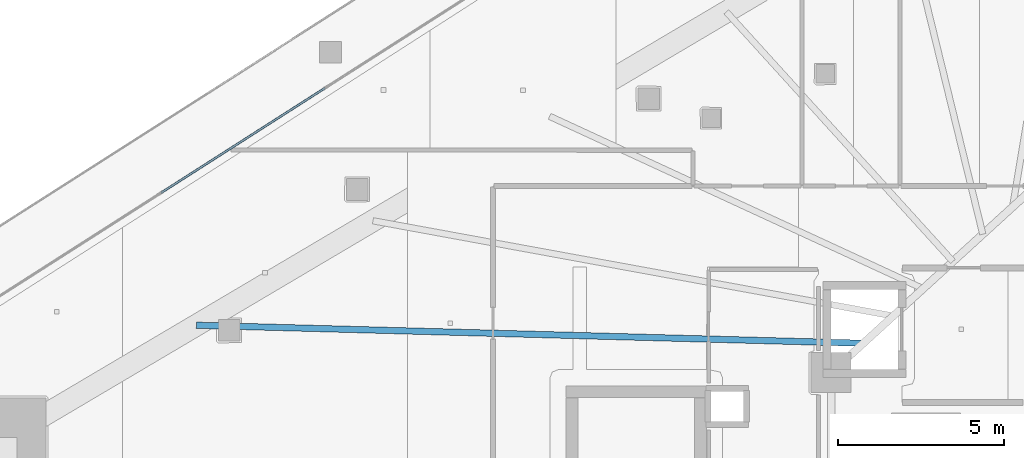
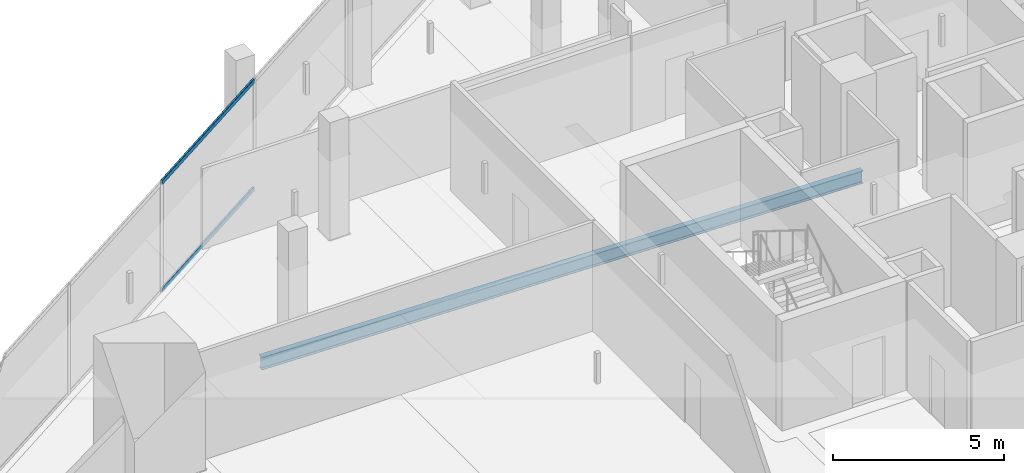
# One storey, part 13 of 44: 2 members, 1 beam, 1 element without a shape of its own.
"""IFC4 building model written with IfcOpenShell, lengths in metres."""

from ifc_helpers import new_model, si_unit, direction, frame, origin, origin_2d, place, context, subcontext, project, spatial, hollow_rectangle, i_section, extrude, material, layer, layer_set, material_profile, profile_set, type_object, element, aggregate, save


model = new_model("IFC4")

# Units and contexts
model_context = context("Model", 3, precision=1e-05, world=origin(), true_north=direction((0.0, 1.0)))
body_context = subcontext(model_context, "Body", "Model", "MODEL_VIEW")
ifc_project = project(units=[si_unit("LENGTHUNIT", "METRE"), si_unit("AREAUNIT", "SQUARE_METRE"), si_unit("VOLUMEUNIT", "CUBIC_METRE"), si_unit("PLANEANGLEUNIT", "RADIAN"), si_unit("MASSUNIT", "GRAM", prefix="KILO")], contexts=[model_context])

# Site, building, storey
site_placement = place(None, origin())
site = spatial("IfcSite", under=ifc_project, at=site_placement, CompositionType="ELEMENT")
building_placement = place(site_placement, origin())
building = spatial("IfcBuilding", under=site, at=building_placement, Name="Qorvath Tower", CompositionType="ELEMENT")
storey_placement = place(building_placement, frame((0.0, 0.0, 45.0)))
storey = spatial("IfcBuildingStorey", under=building, at=storey_placement, Name="L09", CompositionType="ELEMENT", Elevation=45.0)

# Beam
ifc_material_1 = material(Name="Steel ASTM A992 Grade 50", Category="steel")
ifc_material_profile_1 = material_profile(ifc_material_1, i_section(OverallWidth=0.18994140625, OverallDepth=0.45703125, WebThickness=0.009033203125, FlangeThickness=0.014404296875, FilletRadius=0.011962890625, at=origin_2d()), Name="W18x50")
ifc_profile_set_1 = profile_set([ifc_material_profile_1], Name="Steel ASTM A992 Grade 50")
beam_type = type_object("IfcBeamType", Name="BM-FJ2", PredefinedType="JOIST", material=ifc_profile_set_1)
beam_placement = place(storey_placement, frame((-29.533935546875, 6.031982421875, -0.508544921875), z_axis=(-0.999634925413, 0.02701880631, 0.0), x_axis=(-0.02701880631, -0.999634925413, 0.0)))
element("IfcBeam", 1, at=beam_placement, inside=storey, type_object=beam_type, Name="Composite Floor Joist NW1 L09", PredefinedType="JOIST", context=body_context, shape_type="SweptSolid", body=[
    extrude(i_section(OverallWidth=0.18994140625, OverallDepth=0.45703125, WebThickness=0.009033203125, FlangeThickness=0.014404296875, FilletRadius=0.011962890625, at=origin_2d()), origin(), (0.0, 0.0, 1.0), 20.041748046875),
])

# Curtain wall, members
ifc_material_2 = material(Name="Anodised aluminium and triple low-E glass", Category="aluminium")
ifc_layer = layer(ifc_material_2, 0.179931640625)
ifc_layer_set = layer_set([ifc_layer], Name="CW-SYS-2")
curtain_wall_type = type_object("IfcCurtainWallType", Name="CW-SYS-2", PredefinedType="NOTDEFINED", material=ifc_layer_set)
curtain_wall_placement = place(storey_placement, origin())
curtain_wall = element("IfcCurtainWall", 2, at=curtain_wall_placement, inside=storey, type_object=curtain_wall_type, Name="Curtain Wall CW-2 CW-T-L09-16.3", PredefinedType="NOTDEFINED")
ifc_material_3 = material(Name="Anodised aluminium 6063-T6", Category="aluminium")
ifc_material_profile_2 = material_profile(ifc_material_3, hollow_rectangle(XDim=0.06494140625, YDim=0.159912109375, WallThickness=0.00341796875, InnerFilletRadius=0.00341796875, OuterFilletRadius=0.007080078125, at=origin_2d()), Name="CWT 160x65")
ifc_profile_set_2 = profile_set([ifc_material_profile_2], Name="Anodised aluminium 6063-T6")
member_type = type_object("IfcMemberType", Name="CWT-160", PredefinedType="USERDEFINED", material=ifc_profile_set_2)
member_1_placement = place(storey_placement, frame((-45.704345703125, 13.69677734375, 0.032470703125), z_axis=(-0.842618260885, -0.538511342891, 0.0), x_axis=(0.538511342891, -0.842618260885, 0.0)))
member_1 = element("IfcMember", 3, at=member_1_placement, type_object=member_type, Name="CW-2 transom 2.1", ObjectType="TRANSOM", PredefinedType="USERDEFINED", context=body_context, shape_type="SweptSolid", body=[
    extrude(hollow_rectangle(XDim=0.06494140625, YDim=0.159912109375, WallThickness=0.00341796875, InnerFilletRadius=0.00341796875, OuterFilletRadius=0.007080078125, at=origin_2d()), origin(), (0.0, 0.0, 1.0), 5.8388671875),
])
member_2_placement = place(storey_placement, frame((-45.704345703125, 13.69677734375, 3.887451171875), z_axis=(-0.842618260885, -0.538511342891, 0.0), x_axis=(0.538511342891, -0.842618260885, 0.0)))
member_2 = element("IfcMember", 4, at=member_2_placement, type_object=member_type, Name="CW-2 transom 2.2", ObjectType="TRANSOM", PredefinedType="USERDEFINED", context=body_context, shape_type="SweptSolid", body=[
    extrude(hollow_rectangle(XDim=0.06494140625, YDim=0.159912109375, WallThickness=0.00341796875, InnerFilletRadius=0.00341796875, OuterFilletRadius=0.007080078125, at=origin_2d()), origin(), (0.0, 0.0, 1.0), 5.8388671875),
])
aggregate(curtain_wall, [member_1, member_2])

save(model, "model.ifc")
